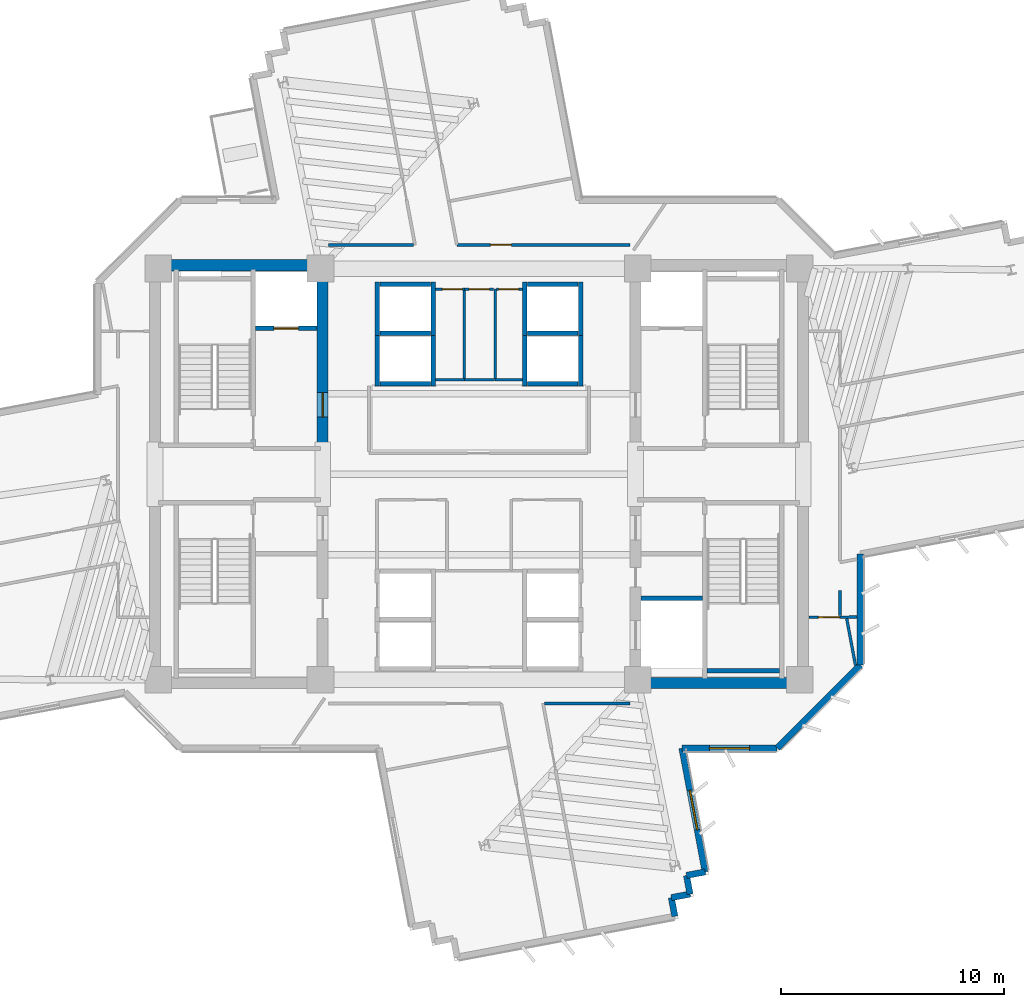
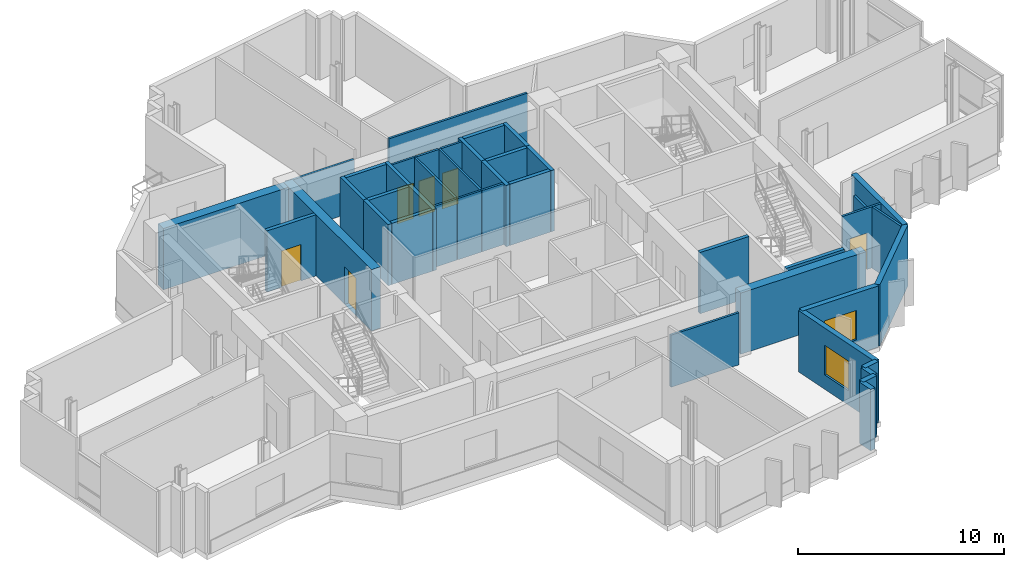
# One storey, part 10 of 16: 42 walls, 7 doors, 2 windows, 9 openings.
"""IFC4 building model written with IfcOpenShell, lengths in metres."""

import ifcopenshell
import ifcopenshell.guid

model = None  # the IFC model being written
_history = None  # IfcOwnerHistory: only IFC2X3 demands one
_inside = {}  # id of a spatial element -> (the spatial element, [elements in it])
_under = {}  # id of a project, library or spatial element -> (it, [spatial elements below it])
_declared = {}  # id of a project -> (the project, [libraries it declares])
_typed = {}  # id of a type object -> (the type object, [elements of that type])
_made_of = {}  # id of a material, layer set ... -> (it, [elements and type objects made of it])


def new_model(schema):
    """Start an empty IFC model of exactly this schema.

    Asked for "IFC4X3", IfcOpenShell would pick the latest addendum, in which some entities
    have other attributes; the version numbers below select the first issue.
    IFC2X3 requires an IfcOwnerHistory on every rooted entity: one is made here for all.
    """
    global model, _history
    if schema == "IFC4X3":
        model = ifcopenshell.file(schema_version=(4, 3, 0, 0))
    else:
        model = ifcopenshell.file(schema=schema)
    _inside.clear()
    _under.clear()
    _declared.clear()
    _typed.clear()
    _made_of.clear()
    _history = None
    if model.schema == "IFC2X3":
        org = make("IfcOrganization", Name="unknown")
        user = make(
            "IfcPersonAndOrganization",
            ThePerson=make("IfcPerson", FamilyName="unknown"),
            TheOrganization=org,
        )
        app = make(
            "IfcApplication",
            ApplicationDeveloper=org,
            Version="unknown",
            ApplicationFullName="unknown",
            ApplicationIdentifier="unknown",
        )
        _history = make(
            "IfcOwnerHistory",
            OwningUser=user,
            OwningApplication=app,
            ChangeAction="ADDED",
            CreationDate=0,
        )
    return model


def make(cls, **values):
    """One entity of the class cls with the attributes given. An attribute that is None is left unset."""
    return model.create_entity(
        cls, **{name: value for name, value in values.items() if value is not None}
    )


def rooted(cls, **values):
    """An entity with a GlobalId (a new one), such as an element, a storey or a relation."""
    return make(cls, GlobalId=ifcopenshell.guid.new(), OwnerHistory=_history, **values)


def si_unit(unit_type, name, prefix=None):
    """IfcSIUnit, for example si_unit("LENGTHUNIT", "METRE", prefix="MILLI")."""
    return make("IfcSIUnit", UnitType=unit_type, Prefix=prefix, Name=name)


def assignment(units):
    """IfcUnitAssignment: the units of a project."""
    return None if units is None else make("IfcUnitAssignment", Units=units)


def point(xyz):
    """IfcCartesianPoint."""
    return None if xyz is None else make("IfcCartesianPoint", Coordinates=xyz)


def direction(xyz):
    """IfcDirection."""
    return None if xyz is None else make("IfcDirection", DirectionRatios=xyz)


def frame(location, z_axis=None, x_axis=None):
    """IfcAxis2Placement3D, a coordinate frame: its origin and axes. An axis left out is left unset."""
    return make(
        "IfcAxis2Placement3D",
        Location=point(location),
        Axis=direction(z_axis),
        RefDirection=direction(x_axis),
    )


def frame_2d(location, x_axis=None):
    """IfcAxis2Placement2D, a coordinate frame in the plane: its origin and x axis."""
    return make(
        "IfcAxis2Placement2D", Location=point(location), RefDirection=direction(x_axis)
    )


def origin():
    """The frame at (0, 0, 0) with its axes left unset."""
    return frame((0.0, 0.0, 0.0))


def place(relative_to, where):
    """IfcLocalPlacement: puts the frame where relative to a parent placement (None: the world)."""
    return make(
        "IfcLocalPlacement", PlacementRelTo=relative_to, RelativePlacement=where
    )


def context(
    kind, dimensions, precision=None, world=None, true_north=None, identifier=None
):
    """IfcGeometricRepresentationContext, for example the 3D "Model" context."""
    return make(
        "IfcGeometricRepresentationContext",
        ContextIdentifier=identifier,
        ContextType=kind,
        CoordinateSpaceDimension=dimensions,
        Precision=precision,
        WorldCoordinateSystem=world,
        TrueNorth=true_north,
    )


def subcontext(parent, identifier, kind, view, scale=None):
    """IfcGeometricRepresentationSubContext, for example "Body" below "Model"."""
    return make(
        "IfcGeometricRepresentationSubContext",
        ContextIdentifier=identifier,
        ContextType=kind,
        ParentContext=parent,
        TargetScale=scale,
        TargetView=view,
    )


def project(units=None, contexts=None):
    """IfcProject with its units and contexts."""
    return rooted(
        "IfcProject",
        Name="project",
        RepresentationContexts=contexts,
        UnitsInContext=assignment(units),
    )


def spatial(cls, under=None, at=None, **own):
    """A site, building, storey or space (cls), placed at a placement, below another one or the project."""
    s = rooted(cls, ObjectPlacement=at, **own)
    if under is not None:
        _under.setdefault(under.id(), (under, []))[1].append(s)
    return s


def profile(cls, at=None, kind="AREA", **sizes):
    """A parametric profile (cls). Its sizes go by their IFC names, for example OverallWidth=200.0."""
    return make(cls, ProfileType=kind, Position=at, **sizes)


def rectangle(**sizes):
    """IfcRectangleProfileDef."""
    return profile("IfcRectangleProfileDef", **sizes)


def extrude(swept, where, along, depth):
    """IfcExtrudedAreaSolid: the profile swept, set in the frame where, extruded along a direction by depth."""
    return make(
        "IfcExtrudedAreaSolid",
        SweptArea=swept,
        Position=where,
        ExtrudedDirection=direction(along),
        Depth=depth,
    )


def shape(context_of_items, identifier, shape_type, items):
    """IfcShapeRepresentation: the items that make up one representation, for example the "Body"."""
    return make(
        "IfcShapeRepresentation",
        ContextOfItems=context_of_items,
        RepresentationIdentifier=identifier,
        RepresentationType=shape_type,
        Items=items,
    )


def source(mapping_origin, context_of_items, identifier, shape_type, items):
    """IfcRepresentationMap: a shape defined once, which mapped items show again and again."""
    return make(
        "IfcRepresentationMap",
        MappingOrigin=mapping_origin,
        MappedRepresentation=shape(context_of_items, identifier, shape_type, items),
    )


def transform(
    local_origin,
    x_axis=None,
    y_axis=None,
    z_axis=None,
    scale=None,
    scale2=None,
    scale3=None,
    uniform=True,
):
    """IfcCartesianTransformationOperator3D, or its non-uniform kind. x_axis, y_axis, z_axis: its Axis1, 2, 3."""
    if uniform:
        return make(
            "IfcCartesianTransformationOperator3D",
            Axis1=direction(x_axis),
            Axis2=direction(y_axis),
            LocalOrigin=point(local_origin),
            Scale=scale,
            Axis3=direction(z_axis),
        )
    return make(
        "IfcCartesianTransformationOperator3DnonUniform",
        Axis1=direction(x_axis),
        Axis2=direction(y_axis),
        LocalOrigin=point(local_origin),
        Scale=scale,
        Axis3=direction(z_axis),
        Scale2=scale2,
        Scale3=scale3,
    )


def mapped(mapping_source, mapping_target):
    """IfcMappedItem: shows the shape of a source again, moved by a transform."""
    return make(
        "IfcMappedItem", MappingSource=mapping_source, MappingTarget=mapping_target
    )


def material(Name=None, Category=None):
    """IfcMaterial."""
    return make("IfcMaterial", Name=Name, Category=Category)


def layer(
    of_material, thickness, ventilated=None, Name=None, Category=None, Priority=None
):
    """IfcMaterialLayer: one layer of a wall or slab, of a material (None: an air gap)."""
    return make(
        "IfcMaterialLayer",
        Material=of_material,
        LayerThickness=thickness,
        IsVentilated=ventilated,
        Name=Name,
        Category=Category,
        Priority=Priority,
    )


def layer_set(layers, Name=None):
    """IfcMaterialLayerSet."""
    return make("IfcMaterialLayerSet", MaterialLayers=layers, LayerSetName=Name)


def made_of(thing, what):
    """Note that an element or type object is made of a material, layer set ...; save() writes the relation."""
    if what is not None:
        _made_of.setdefault(what.id(), (what, []))[1].append(thing)
    return thing


def type_object(cls, material=None, **own):
    """A type object (cls), such as IfcWallType, which elements share."""
    return made_of(rooted(cls, **own), material)


def element(
    cls,
    number,
    at=None,
    inside=None,
    cuts=None,
    type_object=None,
    material=None,
    context=None,
    identifier="Body",
    shape_type=None,
    held_by="IfcProductDefinitionShape",
    body=None,
    shapes=None,
    **own,
):
    """One element of the class cls, such as IfcWall. Its Tag is "e" and its number.

    at: its placement. inside: the storey or other place that contains it. cuts: it is an
    opening in that element (IfcRelVoidsElement). A single representation is given by context,
    identifier, shape_type and body (its items); several are given by shapes. held_by: the class
    of the entity that holds the representations. save() writes the other relations.
    """
    e = rooted(cls, Tag="e%d" % number, ObjectPlacement=at, **own)
    if body is not None:
        shapes = [shape(context, identifier, shape_type, body)]
    if shapes is not None:
        e.Representation = make(held_by, Representations=shapes)
    if inside is not None:
        _inside.setdefault(inside.id(), (inside, []))[1].append(e)
    if cuts is not None:
        rooted(
            "IfcRelVoidsElement", RelatingBuildingElement=cuts, RelatedOpeningElement=e
        )
    if type_object is not None:
        _typed.setdefault(type_object.id(), (type_object, []))[1].append(e)
    return made_of(e, material)


def fill(opening, filler):
    """IfcRelFillsElement: the door or window that sits in an opening."""
    return rooted(
        "IfcRelFillsElement",
        RelatingOpeningElement=opening,
        RelatedBuildingElement=filler,
    )


def aggregate(whole, parts):
    """IfcRelAggregates: a whole, such as a stair, and the parts it consists of."""
    return rooted("IfcRelAggregates", RelatingObject=whole, RelatedObjects=parts)


def save(model, path):
    """Write the relations noted so far, then the file.

    IfcRelAggregates (storeys below a building ...), IfcRelContainedInSpatialStructure (elements
    in a storey), IfcRelDefinesByType, IfcRelAssociatesMaterial and IfcRelDeclares: one each for
    every whole, place, type object, material and project.
    """
    for whole, parts in _under.values():
        aggregate(whole, parts)
    for where, things in _inside.values():
        rooted(
            "IfcRelContainedInSpatialStructure",
            RelatedElements=things,
            RelatingStructure=where,
        )
    for kind, things in _typed.values():
        rooted("IfcRelDefinesByType", RelatedObjects=things, RelatingType=kind)
    for what, things in _made_of.values():
        rooted("IfcRelAssociatesMaterial", RelatedObjects=things, RelatingMaterial=what)
    for by, libraries in _declared.values():
        rooted("IfcRelDeclares", RelatingContext=by, RelatedDefinitions=libraries)
    model.write(path)


model = new_model("IFC4")

# Units and contexts
model_context = context("Model", 3, precision=1e-05, world=origin(), true_north=direction((0.0, 1.0)))
body_context = subcontext(model_context, "Body", "Model", "MODEL_VIEW")
ifc_project = project(units=[si_unit("LENGTHUNIT", "METRE"), si_unit("AREAUNIT", "SQUARE_METRE"), si_unit("VOLUMEUNIT", "CUBIC_METRE"), si_unit("PLANEANGLEUNIT", "RADIAN"), si_unit("MASSUNIT", "GRAM", prefix="KILO")], contexts=[model_context])

# Site, building, storey
site_placement = place(None, origin())
site = spatial("IfcSite", under=ifc_project, at=site_placement, CompositionType="ELEMENT")
building_placement = place(site_placement, origin())
building = spatial("IfcBuilding", under=site, at=building_placement, Name="Zahravan Cultural Tower", CompositionType="ELEMENT")
storey_placement = place(building_placement, frame((0.0, 0.0, 155.10009765625)))
storey = spatial("IfcBuildingStorey", under=building, at=storey_placement, Name="L35", CompositionType="ELEMENT", Elevation=155.10009765625)

# Wall, opening, door
ifc_material_1 = material(Name="Concrete C60/75", Category="concrete")
ifc_layer_1 = layer(ifc_material_1, 0.5)
ifc_layer_set_1 = layer_set([ifc_layer_1], Name="Concrete C60/75")
wall_type_1 = type_object("IfcWallType", Name="CW-SHEAR-500-C60", PredefinedType="SHEAR", material=ifc_layer_set_1)
wall_1_placement = place(storey_placement, frame((29.0, 28.050048828125, 0.0), z_axis=(0.0, 0.0, 1.0), x_axis=(0.0, 1.0, 0.0)))
wall_1 = element("IfcWall", 1, at=wall_1_placement, inside=storey, type_object=wall_type_1, Name="L35 Core Shear Wall CW-W-EN-L35", PredefinedType="SHEAR", context=body_context, shape_type="SweptSolid", body=[
    extrude(rectangle(XDim=8.550048828125, YDim=0.5, at=frame_2d((4.27490234375, 0.0))), origin(), (0.0, 0.0, 1.0), 3.619873046875),
])
opening_1_placement = place(wall_1_placement, frame((1.5, 0.0, 0.0)))
opening_1 = element("IfcOpeningElement", 2, at=opening_1_placement, cuts=wall_1, Name="Opening D-L35-05", PredefinedType="OPENING", context=body_context, shape_type="SweptSolid", body=[
    extrude(rectangle(XDim=1.10009765625, YDim=2.199951171875, at=frame_2d((0.550048828125, 1.10009765625))), frame((0.0, 0.260009765625, 0.0), z_axis=(0.0, -1.0, 0.0), x_axis=(1.0, 0.0, 0.0)), (0.0, 0.0, 1.0), 0.52001953125),
])
ifc_material_2 = material(Name="Steel ASTM A572 Grade 50", Category="steel")
door_type_1 = type_object("IfcDoorType", Name="DR-LOBBY-1100", OperationType="NOTDEFINED", PredefinedType="DOOR", material=ifc_material_2)
shared_shape_1 = source(origin(), body_context, "Body", "SweptSolid", [
    extrude(rectangle(XDim=1.10009765625, YDim=2.199951171875, at=frame_2d((0.550048828125, 1.10009765625))), frame((0.0, 0.02490234375, 0.0), z_axis=(0.0, -1.0, 0.0), x_axis=(1.0, 0.0, 0.0)), (0.0, 0.0, 1.0), 0.050048828125),
])
door_1_placement = place(opening_1_placement, origin())
door_1 = element("IfcDoor", 3, at=door_1_placement, inside=storey, type_object=door_type_1, Name="L35 Door D-L35-05", OperationType="SINGLE_SWING_LEFT", OverallHeight=2.199951171875, OverallWidth=1.10009765625, PredefinedType="DOOR", context=body_context, shape_type="MappedRepresentation", body=[
    mapped(shared_shape_1, transform((0.0, 0.0, 0.0), x_axis=(1.0, 0.0, 0.0), y_axis=(0.0, 1.0, 0.0), z_axis=(0.0, 0.0, 1.0), scale=1.0)),
])
fill(opening_1, door_1)

# Wall, opening, window
ifc_material_3 = material(Name="Precast concrete C40/50", Category="concrete")
ifc_layer_2 = layer(ifc_material_3, 0.280029296875)
ifc_layer_set_2 = layer_set([ifc_layer_2], Name="Precast concrete C40/50")
wall_type_2 = type_object("IfcWallType", Name="EW-TC-280", PredefinedType="SOLIDWALL", material=ifc_layer_set_2)
wall_2_placement = place(storey_placement, frame((49.342041015625, 14.739990234375, 0.0), z_axis=(0.0, 0.0, 1.0), x_axis=(-1.0, 0.0, 0.0)))
wall_2 = element("IfcWall", 4, at=wall_2_placement, inside=storey, type_object=wall_type_2, Name="L35 Exterior Masonry Frame Wall 13", PredefinedType="SOLIDWALL", context=body_context, shape_type="SweptSolid", body=[
    extrude(rectangle(XDim=4.262451171875, YDim=0.280029296875, at=frame_2d((2.13134765625, 0.0))), origin(), (0.0, 0.0, 1.0), 3.619873046875),
])
opening_2_placement = place(wall_2_placement, frame((1.23095703125, 0.0, 0.85009765625)))
opening_2 = element("IfcOpeningElement", 5, at=opening_2_placement, cuts=wall_2, Name="Opening WN-02", PredefinedType="OPENING", context=body_context, shape_type="SweptSolid", body=[
    extrude(rectangle(XDim=1.800048828125, YDim=1.75, at=frame_2d((0.89990234375, 0.875))), frame((0.0, 0.14990234375, 0.0), z_axis=(0.0, -1.0, 0.0), x_axis=(1.0, 0.0, 0.0)), (0.0, 0.0, 1.0), 0.300048828125),
])
ifc_material_4 = material(Name="Low-E solar-control double glazing", Category="glass")
window_type = type_object("IfcWindowType", Name="WN-REC-1800X1750", PartitioningType="DOUBLE_PANEL_VERTICAL", PredefinedType="WINDOW", material=ifc_material_4)
shared_shape_2 = source(origin(), body_context, "Body", "SweptSolid", [
    extrude(rectangle(XDim=1.800048828125, YDim=1.75, at=frame_2d((0.89990234375, 0.875))), frame((0.0, 0.030029296875, 0.0), z_axis=(0.0, -1.0, 0.0), x_axis=(1.0, 0.0, 0.0)), (0.0, 0.0, 1.0), 0.06005859375),
])
window_1_placement = place(opening_2_placement, origin())
window_1 = element("IfcWindow", 6, at=window_1_placement, inside=storey, type_object=window_type, Name="L35 Recessed Solar Window 03", OverallHeight=1.75, OverallWidth=1.800048828125, PartitioningType="DOUBLE_PANEL_VERTICAL", PredefinedType="WINDOW", context=body_context, shape_type="MappedRepresentation", body=[
    mapped(shared_shape_2, transform((0.0, 0.0, 0.0), x_axis=(1.0, 0.0, 0.0), y_axis=(0.0, 1.0, 0.0), z_axis=(0.0, 0.0, 1.0), scale=1.0)),
])
fill(opening_2, window_1)

wall_3_placement = place(storey_placement, frame((45.07958984375, 14.739990234375, 0.0), z_axis=(0.0, 0.0, 1.0), x_axis=(0.184678339457, -0.982799018587, 0.0)))
wall_3 = element("IfcWall", 7, at=wall_3_placement, inside=storey, type_object=wall_type_2, Name="L35 Exterior Masonry Frame Wall 14", PredefinedType="SOLIDWALL", context=body_context, shape_type="SweptSolid", body=[
    extrude(rectangle(XDim=5.63427734375, YDim=0.280029296875, at=frame_2d((2.817138671875, 0.0))), origin(), (0.0, 0.0, 1.0), 3.619873046875),
])
opening_3_placement = place(wall_3_placement, frame((1.9169921875, 0.0, 0.85009765625)))
opening_3 = element("IfcOpeningElement", 8, at=opening_3_placement, cuts=wall_3, Name="Opening WN-02", PredefinedType="OPENING", context=body_context, shape_type="SweptSolid", body=[
    extrude(rectangle(XDim=1.800048828125, YDim=1.75, at=frame_2d((0.89990234375, 0.875))), frame((0.0, 0.14990234375, 0.0), z_axis=(0.0, -1.0, 0.0), x_axis=(1.0, 0.0, 0.0)), (0.0, 0.0, 1.0), 0.300048828125),
])
window_2_placement = place(opening_3_placement, origin())
window_2 = element("IfcWindow", 9, at=window_2_placement, inside=storey, type_object=window_type, Name="L35 Recessed Solar Window 04", OverallHeight=1.75, OverallWidth=1.800048828125, PartitioningType="DOUBLE_PANEL_VERTICAL", PredefinedType="WINDOW", context=body_context, shape_type="MappedRepresentation", body=[
    mapped(shared_shape_2, transform((0.0, 0.0, 0.0), x_axis=(1.0, 0.0, 0.0), y_axis=(0.0, 1.0, 0.0), z_axis=(0.0, 0.0, 1.0), scale=1.0)),
])
fill(opening_3, window_2)

# Wall, opening, door
ifc_material_5 = material(Name="Gypsum plasterboard partition")
ifc_layer_3 = layer(ifc_material_5, 0.125)
ifc_layer_set_3 = layer_set([ifc_layer_3], Name="Gypsum plasterboard partition")
wall_type_3 = type_object("IfcWallType", Name="W-PART-125", PredefinedType="PARTITIONING", material=ifc_layer_set_3)
wall_4_placement = place(storey_placement, frame((50.7548828125, 20.60009765625, 0.0), z_axis=(0.0, 0.0, 1.0), x_axis=(0.99999875384, 0.001578708001, 0.0)))
wall_4 = element("IfcWall", 10, at=wall_4_placement, inside=storey, type_object=wall_type_3, Name="L35 Interior Wall 065", PredefinedType="PARTITIONING", context=body_context, shape_type="SweptSolid", body=[
    extrude(rectangle(XDim=2.1650390625, YDim=0.125, at=frame_2d((1.08251953125, 0.0))), origin(), (0.0, 0.0, 1.0), 3.619873046875),
])
opening_4_placement = place(wall_4_placement, frame((0.42529296875, 0.0, 0.0)))
opening_4 = element("IfcOpeningElement", 11, at=opening_4_placement, cuts=wall_4, Name="Opening D-L35-18", PredefinedType="OPENING", context=body_context, shape_type="SweptSolid", body=[
    extrude(rectangle(XDim=0.949951171875, YDim=2.14990234375, at=frame_2d((0.47509765625, 1.074951171875))), frame((0.0, 0.072509765625, 0.0), z_axis=(0.0, -1.0, 0.0), x_axis=(1.0, 0.0, 0.0)), (0.0, 0.0, 1.0), 0.14501953125),
])
ifc_material_6 = material(Name="Anodised bronze-aluminium mullion", Category="aluminium")
door_type_2 = type_object("IfcDoorType", Name="DR-ROOM-950", OperationType="NOTDEFINED", PredefinedType="DOOR", material=ifc_material_6)
shared_shape_3 = source(origin(), body_context, "Body", "SweptSolid", [
    extrude(rectangle(XDim=0.949951171875, YDim=2.14990234375, at=frame_2d((0.47509765625, 1.074951171875))), frame((0.0, 0.02490234375, 0.0), z_axis=(0.0, -1.0, 0.0), x_axis=(1.0, 0.0, 0.0)), (0.0, 0.0, 1.0), 0.050048828125),
])
door_2_placement = place(opening_4_placement, origin())
door_2 = element("IfcDoor", 12, at=door_2_placement, inside=storey, type_object=door_type_2, Name="L35 Door D-L35-18", OperationType="SINGLE_SWING_RIGHT", OverallHeight=2.14990234375, OverallWidth=0.949951171875, PredefinedType="DOOR", context=body_context, shape_type="MappedRepresentation", body=[
    mapped(shared_shape_3, transform((0.0, 0.0, 0.0), x_axis=(1.0, 0.0, 0.0), y_axis=(0.0, 1.0, 0.0), z_axis=(0.0, 0.0, 1.0), scale=1.0)),
])
fill(opening_4, door_2)

wall_5_placement = place(storey_placement, frame((42.7490234375, 37.259033203125, 0.0), z_axis=(0.0, 0.0, 1.0), x_axis=(-0.999999992041, 0.000126163065, 0.0)))
wall_5 = element("IfcWall", 13, at=wall_5_placement, inside=storey, type_object=wall_type_3, Name="L35 Interior Wall 076", PredefinedType="PARTITIONING", context=body_context, shape_type="SweptSolid", body=[
    extrude(rectangle(XDim=7.740478515625, YDim=0.125, at=frame_2d((3.8701171875, 0.0))), origin(), (0.0, 0.0, 1.0), 3.619873046875),
])
opening_5_placement = place(wall_5_placement, frame((5.29638671875, 0.0, 0.0)))
opening_5 = element("IfcOpeningElement", 14, at=opening_5_placement, cuts=wall_5, Name="Opening D-L35-21", PredefinedType="OPENING", context=body_context, shape_type="SweptSolid", body=[
    extrude(rectangle(XDim=0.949951171875, YDim=2.14990234375, at=frame_2d((0.47509765625, 1.074951171875))), frame((0.0, 0.072509765625, 0.0), z_axis=(0.0, -1.0, 0.0), x_axis=(1.0, 0.0, 0.0)), (0.0, 0.0, 1.0), 0.14501953125),
])
door_3_placement = place(opening_5_placement, origin())
door_3 = element("IfcDoor", 15, at=door_3_placement, inside=storey, type_object=door_type_2, Name="L35 Door D-L35-21", OperationType="SINGLE_SWING_LEFT", OverallHeight=2.14990234375, OverallWidth=0.949951171875, PredefinedType="DOOR", context=body_context, shape_type="MappedRepresentation", body=[
    mapped(shared_shape_3, transform((0.0, 0.0, 0.0), x_axis=(1.0, 0.0, 0.0), y_axis=(0.0, 1.0, 0.0), z_axis=(0.0, 0.0, 1.0), scale=1.0)),
])
fill(opening_5, door_3)

ifc_material_7 = material(Name="Concrete C45/55", Category="concrete")
ifc_layer_4 = layer(ifc_material_7, 0.199951171875)
ifc_layer_set_4 = layer_set([ifc_layer_4], Name="Concrete C45/55")
wall_type_4 = type_object("IfcWallType", Name="W-SHAFT-200", PredefinedType="SOLIDWALL", material=ifc_layer_set_4)
wall_6_placement = place(storey_placement, frame((26.0, 33.52001953125, 0.0), z_axis=(0.0, 0.0, 1.0), x_axis=(1.0, 0.0, 0.0)))
wall_6 = element("IfcWall", 16, at=wall_6_placement, inside=storey, type_object=wall_type_4, Name="L35 Interior Wall 021", PredefinedType="SOLIDWALL", context=body_context, shape_type="SweptSolid", body=[
    extrude(rectangle(XDim=2.75, YDim=0.199951171875, at=frame_2d((1.375, 0.0))), origin(), (0.0, 0.0, 1.0), 3.619873046875),
])
opening_6_placement = place(wall_6_placement, frame((0.820068359375, 0.0, 0.0)))
opening_6 = element("IfcOpeningElement", 17, at=opening_6_placement, cuts=wall_6, Name="Opening LD-L35-01", PredefinedType="OPENING", context=body_context, shape_type="SweptSolid", body=[
    extrude(rectangle(XDim=1.10009765625, YDim=2.14990234375, at=frame_2d((0.550048828125, 1.074951171875))), frame((0.0, 0.10986328125, 0.0), z_axis=(0.0, -1.0, 0.0), x_axis=(1.0, 0.0, 0.0)), (0.0, 0.0, 1.0), 0.219970703125),
])
door_type_3 = type_object("IfcDoorType", Name="DR-LIFT-1100", OperationType="DOUBLE_DOOR_SLIDING", PredefinedType="DOOR", material=ifc_material_2)
shared_shape_4 = source(origin(), body_context, "Body", "SweptSolid", [
    extrude(rectangle(XDim=1.10009765625, YDim=2.14990234375, at=frame_2d((0.550048828125, 1.074951171875))), frame((0.0, 0.02490234375, 0.0), z_axis=(0.0, -1.0, 0.0), x_axis=(1.0, 0.0, 0.0)), (0.0, 0.0, 1.0), 0.050048828125),
])
door_4_placement = place(opening_6_placement, origin())
door_4 = element("IfcDoor", 18, at=door_4_placement, inside=storey, type_object=door_type_3, Name="L35 Door LD-L35-01", OperationType="DOUBLE_DOOR_SLIDING", OverallHeight=2.14990234375, OverallWidth=1.10009765625, PredefinedType="DOOR", context=body_context, shape_type="MappedRepresentation", body=[
    mapped(shared_shape_4, transform((0.0, 0.0, 0.0), x_axis=(1.0, 0.0, 0.0), y_axis=(0.0, 1.0, 0.0), z_axis=(0.0, 0.0, 1.0), scale=1.0)),
])
fill(opening_6, door_4)

ifc_layer_5 = layer(ifc_material_5, 0.114990234375)
ifc_layer_set_5 = layer_set([ifc_layer_5], Name="Gypsum plasterboard partition")
wall_type_5 = type_object("IfcWallType", Name="W-WC-115", PredefinedType="PARTITIONING", material=ifc_layer_set_5)
wall_7_placement = place(storey_placement, frame((36.782470703125, 35.280029296875, 0.0), z_axis=(0.0, 0.0, 1.0), x_axis=(1.0, 0.0, 0.0)))
wall_7 = element("IfcWall", 19, at=wall_7_placement, inside=storey, type_object=wall_type_5, Name="L35 Interior Wall 056", PredefinedType="PARTITIONING", context=body_context, shape_type="SweptSolid", body=[
    extrude(rectangle(XDim=1.16259765625, YDim=0.114990234375, at=frame_2d((0.581298828125, 0.0))), origin(), (0.0, 0.0, 1.0), 3.619873046875),
])
opening_7_placement = place(wall_7_placement, frame((0.0888671875, 0.0, 0.0)))
opening_7 = element("IfcOpeningElement", 20, at=opening_7_placement, cuts=wall_7, Name="Opening D-L35-15", PredefinedType="OPENING", context=body_context, shape_type="SweptSolid", body=[
    extrude(rectangle(XDim=0.89990234375, YDim=2.10009765625, at=frame_2d((0.449951171875, 1.050048828125))), frame((0.0, 0.0673828125, 0.0), z_axis=(0.0, -1.0, 0.0), x_axis=(1.0, 0.0, 0.0)), (0.0, 0.0, 1.0), 0.135009765625),
])
door_type_4 = type_object("IfcDoorType", Name="DR-WC-900", OperationType="NOTDEFINED", PredefinedType="DOOR", material=ifc_material_6)
shared_shape_5 = source(origin(), body_context, "Body", "SweptSolid", [
    extrude(rectangle(XDim=0.89990234375, YDim=2.10009765625, at=frame_2d((0.449951171875, 1.050048828125))), frame((0.0, 0.02490234375, 0.0), z_axis=(0.0, -1.0, 0.0), x_axis=(1.0, 0.0, 0.0)), (0.0, 0.0, 1.0), 0.050048828125),
])
door_5_placement = place(opening_7_placement, origin())
door_5 = element("IfcDoor", 21, at=door_5_placement, inside=storey, type_object=door_type_4, Name="L35 Door D-L35-15", OperationType="SINGLE_SWING_LEFT", OverallHeight=2.10009765625, OverallWidth=0.89990234375, PredefinedType="DOOR", context=body_context, shape_type="MappedRepresentation", body=[
    mapped(shared_shape_5, transform((0.0, 0.0, 0.0), x_axis=(1.0, 0.0, 0.0), y_axis=(0.0, 1.0, 0.0), z_axis=(0.0, 0.0, 1.0), scale=1.0)),
])
fill(opening_7, door_5)

wall_8_placement = place(storey_placement, frame((34.054931640625, 35.280029296875, 0.0), z_axis=(0.0, 0.0, 1.0), x_axis=(1.0, 0.0, 0.0)))
wall_8 = element("IfcWall", 22, at=wall_8_placement, inside=storey, type_object=wall_type_5, Name="L35 Interior Wall 058", PredefinedType="PARTITIONING", context=body_context, shape_type="SweptSolid", body=[
    extrude(rectangle(XDim=1.28515625, YDim=0.114990234375, at=frame_2d((0.642578125, 0.0))), origin(), (0.0, 0.0, 1.0), 3.619873046875),
])
opening_8_placement = place(wall_8_placement, frame((0.30029296875, 0.0, 0.0)))
opening_8 = element("IfcOpeningElement", 23, at=opening_8_placement, cuts=wall_8, Name="Opening D-L35-13", PredefinedType="OPENING", context=body_context, shape_type="SweptSolid", body=[
    extrude(rectangle(XDim=0.89990234375, YDim=2.10009765625, at=frame_2d((0.449951171875, 1.050048828125))), frame((0.0, 0.0673828125, 0.0), z_axis=(0.0, -1.0, 0.0), x_axis=(1.0, 0.0, 0.0)), (0.0, 0.0, 1.0), 0.135009765625),
])
door_6_placement = place(opening_8_placement, origin())
door_6 = element("IfcDoor", 24, at=door_6_placement, inside=storey, type_object=door_type_4, Name="L35 Door D-L35-13", OperationType="SINGLE_SWING_LEFT", OverallHeight=2.10009765625, OverallWidth=0.89990234375, PredefinedType="DOOR", context=body_context, shape_type="MappedRepresentation", body=[
    mapped(shared_shape_5, transform((0.0, 0.0, 0.0), x_axis=(1.0, 0.0, 0.0), y_axis=(0.0, 1.0, 0.0), z_axis=(0.0, 0.0, 1.0), scale=1.0)),
])
fill(opening_8, door_6)

wall_9_placement = place(storey_placement, frame((35.360107421875, 35.280029296875, 0.0), z_axis=(0.0, 0.0, 1.0), x_axis=(1.0, 0.0, 0.0)))
wall_9 = element("IfcWall", 25, at=wall_9_placement, inside=storey, type_object=wall_type_5, Name="L35 Interior Wall 061", PredefinedType="PARTITIONING", context=body_context, shape_type="SweptSolid", body=[
    extrude(rectangle(XDim=1.29736328125, YDim=0.114990234375, at=frame_2d((0.648681640625, 0.0))), origin(), (0.0, 0.0, 1.0), 3.619873046875),
])
opening_9_placement = place(wall_9_placement, frame((0.19873046875, 0.0, 0.0)))
opening_9 = element("IfcOpeningElement", 26, at=opening_9_placement, cuts=wall_9, Name="Opening D-L35-14", PredefinedType="OPENING", context=body_context, shape_type="SweptSolid", body=[
    extrude(rectangle(XDim=0.89990234375, YDim=2.10009765625, at=frame_2d((0.449951171875, 1.050048828125))), frame((0.0, 0.0673828125, 0.0), z_axis=(0.0, -1.0, 0.0), x_axis=(1.0, 0.0, 0.0)), (0.0, 0.0, 1.0), 0.135009765625),
])
door_7_placement = place(opening_9_placement, origin())
door_7 = element("IfcDoor", 27, at=door_7_placement, inside=storey, type_object=door_type_4, Name="L35 Door D-L35-14", OperationType="SINGLE_SWING_RIGHT", OverallHeight=2.10009765625, OverallWidth=0.89990234375, PredefinedType="DOOR", context=body_context, shape_type="MappedRepresentation", body=[
    mapped(shared_shape_5, transform((0.0, 0.0, 0.0), x_axis=(1.0, 0.0, 0.0), y_axis=(0.0, 1.0, 0.0), z_axis=(0.0, 0.0, 1.0), scale=1.0)),
])
fill(opening_9, door_7)

# Walls
shared_shape_6 = source(origin(), body_context, "Body", "SweptSolid", [
    extrude(rectangle(XDim=7.0, YDim=0.5, at=frame_2d((3.5, 0.0))), origin(), (0.0, 0.0, 1.0), 3.619873046875),
])
for number, where, z_axis, x_axis, name in (
    (28, (21.75, 36.35009765625, 0.0), (0.0, 0.0, 1.0), (1.0, 0.0, 0.0), "L35 Core Shear Wall CW-W-N-L35"),
    (29, (43.25, 17.64990234375, 0.0), (0.0, 0.0, 1.0), (1.0, 0.0, 0.0), "L35 Core Shear Wall CW-E-S-L35"),
):
    element("IfcWall", number, at=place(storey_placement, frame(where, z_axis=z_axis, x_axis=x_axis)), inside=storey, type_object=wall_type_1, Name=name, PredefinedType="SHEAR", context=body_context, shape_type="MappedRepresentation", body=[
        mapped(shared_shape_6, transform((0.0, 0.0, 0.0), x_axis=(1.0, 0.0, 0.0), y_axis=(0.0, 1.0, 0.0), z_axis=(0.0, 0.0, 1.0), scale=1.0)),
    ])
shared_shape_7 = source(origin(), body_context, "Body", "SweptSolid", [
    extrude(rectangle(XDim=0.85009765625, YDim=0.280029296875, at=frame_2d((0.425048828125, 0.0))), origin(), (0.0, 0.0, 1.0), 3.619873046875),
])
for number, where, z_axis, x_axis, name in (
    (30, (46.1201171875, 9.20263671875, 0.0), (0.0, 0.0, 1.0), (-0.982800583684, -0.184670010318, 0.0), "L35 Exterior Masonry Frame Wall 15"),
    (31, (45.28466796875, 9.045654296875, 0.0), (0.0, 0.0, 1.0), (0.184670010318, -0.982800583684, 0.0), "L35 Exterior Masonry Frame Wall 16"),
    (32, (45.441650390625, 8.210205078125, 0.0), (0.0, 0.0, 1.0), (-0.982800583684, -0.184670010318, 0.0), "L35 Exterior Masonry Frame Wall 17"),
    (33, (44.606201171875, 8.05322265625, 0.0), (0.0, 0.0, 1.0), (0.184670010318, -0.982800583684, 0.0), "L35 Exterior Masonry Frame Wall 18"),
):
    element("IfcWall", number, at=place(storey_placement, frame(where, z_axis=z_axis, x_axis=x_axis)), inside=storey, type_object=wall_type_2, Name=name, PredefinedType="SOLIDWALL", context=body_context, shape_type="MappedRepresentation", body=[
        mapped(shared_shape_7, transform((0.0, 0.0, 0.0), x_axis=(1.0, 0.0, 0.0), y_axis=(0.0, 1.0, 0.0), z_axis=(0.0, 0.0, 1.0), scale=1.0)),
    ])
shared_shape_8 = source(origin(), body_context, "Body", "SweptSolid", [
    extrude(rectangle(XDim=5.258056640625, YDim=0.280029296875, at=frame_2d((2.62890625, 0.0))), origin(), (0.0, 0.0, 1.0), 3.619873046875),
])
wall_10_placement = place(storey_placement, frame((53.06005859375, 18.4580078125, 0.0), z_axis=(0.0, 0.0, 1.0), x_axis=(-0.707106781187, -0.707106781187, 0.0)))
element("IfcWall", 34, at=wall_10_placement, inside=storey, type_object=wall_type_2, Name="L35 Exterior Masonry Frame Wall 12", PredefinedType="SOLIDWALL", context=body_context, shape_type="MappedRepresentation", body=[
    mapped(shared_shape_8, transform((0.0, 0.0, 0.0), x_axis=(1.0, 0.0, 0.0), y_axis=(0.0, 1.0, 0.0), z_axis=(0.0, 0.0, 1.0), scale=1.0)),
])
shared_shape_9 = source(origin(), body_context, "Body", "SweptSolid", [
    extrude(rectangle(XDim=4.970458984375, YDim=0.280029296875, at=frame_2d((2.4853515625, 0.0))), origin(), (0.0, 0.0, 1.0), 3.619873046875),
])
wall_11_placement = place(storey_placement, frame((53.06005859375, 23.428466796875, 0.0), z_axis=(0.0, 0.0, 1.0), x_axis=(0.0, -1.0, 0.0)))
element("IfcWall", 35, at=wall_11_placement, inside=storey, type_object=wall_type_2, Name="L35 Exterior Masonry Frame Wall 11", PredefinedType="SOLIDWALL", context=body_context, shape_type="MappedRepresentation", body=[
    mapped(shared_shape_9, transform((0.0, 0.0, 0.0), x_axis=(1.0, 0.0, 0.0), y_axis=(0.0, 1.0, 0.0), z_axis=(0.0, 0.0, 1.0), scale=1.0)),
])
shared_shape_10 = source(origin(), body_context, "Body", "SweptSolid", [
    extrude(rectangle(XDim=3.25, YDim=0.199951171875, at=frame_2d((1.625, 0.0))), origin(), (0.0, 0.0, 1.0), 3.619873046875),
])
wall_12_placement = place(storey_placement, frame((46.199951171875, 18.199951171875, 0.0), z_axis=(0.0, 0.0, 1.0), x_axis=(1.0, 0.0, 0.0)))
element("IfcWall", 36, at=wall_12_placement, inside=storey, type_object=wall_type_4, Name="L35 Interior Wall 020", PredefinedType="SOLIDWALL", context=body_context, shape_type="MappedRepresentation", body=[
    mapped(shared_shape_10, transform((0.0, 0.0, 0.0), x_axis=(1.0, 0.0, 0.0), y_axis=(0.0, 1.0, 0.0), z_axis=(0.0, 0.0, 1.0), scale=1.0)),
])
shared_shape_11 = source(origin(), body_context, "Body", "SweptSolid", [
    extrude(rectangle(XDim=2.75, YDim=0.199951171875, at=frame_2d((1.375, 0.0))), origin(), (0.0, 0.0, 1.0), 3.619873046875),
])
wall_13_placement = place(storey_placement, frame((43.25, 21.449951171875, 0.0), z_axis=(0.0, 0.0, 1.0), x_axis=(1.0, 0.0, 0.0)))
element("IfcWall", 37, at=wall_13_placement, inside=storey, type_object=wall_type_4, Name="L35 Interior Wall 025", PredefinedType="SOLIDWALL", context=body_context, shape_type="MappedRepresentation", body=[
    mapped(shared_shape_11, transform((0.0, 0.0, 0.0), x_axis=(1.0, 0.0, 0.0), y_axis=(0.0, 1.0, 0.0), z_axis=(0.0, 0.0, 1.0), scale=1.0)),
])
shared_shape_12 = source(origin(), body_context, "Body", "SweptSolid", [
    extrude(rectangle(XDim=2.400146484375, YDim=0.199951171875, at=frame_2d((1.2001953125, 0.0))), origin(), (0.0, 0.0, 1.0), 3.619873046875),
])
for number, where, z_axis, x_axis, name in (
    (38, (31.449951171875, 33.199951171875, 0.0), (0.0, 0.0, 1.0), (0.0, 1.0, 0.0), "L35 Interior Wall 026"),
    (39, (33.949951171875, 33.199951171875, 0.0), (0.0, 0.0, 1.0), (0.0, 1.0, 0.0), "L35 Interior Wall 027"),
    (40, (31.449951171875, 30.949951171875, 0.0), (0.0, 0.0, 1.0), (0.0, 1.0, 0.0), "L35 Interior Wall 030"),
    (41, (33.949951171875, 30.949951171875, 0.0), (0.0, 0.0, 1.0), (0.0, 1.0, 0.0), "L35 Interior Wall 031"),
    (42, (38.050048828125, 33.199951171875, 0.0), (0.0, 0.0, 1.0), (0.0, 1.0, 0.0), "L35 Interior Wall 033"),
    (43, (40.550048828125, 33.199951171875, 0.0), (0.0, 0.0, 1.0), (0.0, 1.0, 0.0), "L35 Interior Wall 034"),
    (44, (38.050048828125, 30.949951171875, 0.0), (0.0, 0.0, 1.0), (0.0, 1.0, 0.0), "L35 Interior Wall 037"),
    (45, (40.550048828125, 30.949951171875, 0.0), (0.0, 0.0, 1.0), (0.0, 1.0, 0.0), "L35 Interior Wall 038"),
):
    element("IfcWall", number, at=place(storey_placement, frame(where, z_axis=z_axis, x_axis=x_axis)), inside=storey, type_object=wall_type_4, Name=name, PredefinedType="SOLIDWALL", context=body_context, shape_type="MappedRepresentation", body=[
        mapped(shared_shape_12, transform((0.0, 0.0, 0.0), x_axis=(1.0, 0.0, 0.0), y_axis=(0.0, 1.0, 0.0), z_axis=(0.0, 0.0, 1.0), scale=1.0)),
    ])
shared_shape_13 = source(origin(), body_context, "Body", "SweptSolid", [
    extrude(rectangle(XDim=2.260009765625, YDim=0.199951171875, at=frame_2d((1.1298828125, 0.0))), origin(), (0.0, 0.0, 1.0), 3.619873046875),
])
for number, where, z_axis, x_axis, name in (
    (46, (31.570068359375, 33.300048828125, 0.0), (0.0, 0.0, 1.0), (1.0, 0.0, 0.0), "L35 Interior Wall 028"),
    (47, (31.570068359375, 35.5, 0.0), (0.0, 0.0, 1.0), (1.0, 0.0, 0.0), "L35 Interior Wall 029"),
    (48, (31.570068359375, 31.050048828125, 0.0), (0.0, 0.0, 1.0), (1.0, 0.0, 0.0), "L35 Interior Wall 032"),
    (49, (38.169921875, 33.300048828125, 0.0), (0.0, 0.0, 1.0), (1.0, 0.0, 0.0), "L35 Interior Wall 035"),
    (50, (38.169921875, 35.5, 0.0), (0.0, 0.0, 1.0), (1.0, 0.0, 0.0), "L35 Interior Wall 036"),
    (51, (38.169921875, 31.050048828125, 0.0), (0.0, 0.0, 1.0), (1.0, 0.0, 0.0), "L35 Interior Wall 039"),
):
    element("IfcWall", number, at=place(storey_placement, frame(where, z_axis=z_axis, x_axis=x_axis)), inside=storey, type_object=wall_type_4, Name=name, PredefinedType="SOLIDWALL", context=body_context, shape_type="MappedRepresentation", body=[
        mapped(shared_shape_13, transform((0.0, 0.0, 0.0), x_axis=(1.0, 0.0, 0.0), y_axis=(0.0, 1.0, 0.0), z_axis=(0.0, 0.0, 1.0), scale=1.0)),
    ])
shared_shape_14 = source(origin(), body_context, "Body", "SweptSolid", [
    extrude(rectangle(XDim=1.22509765625, YDim=0.114990234375, at=frame_2d((0.612548828125, 0.0))), origin(), (0.0, 0.0, 1.0), 3.619873046875),
])
wall_14_placement = place(storey_placement, frame((37.945068359375, 31.219970703125, 0.0), z_axis=(0.0, 0.0, 1.0), x_axis=(-1.0, 0.0, 0.0)))
element("IfcWall", 52, at=wall_14_placement, inside=storey, type_object=wall_type_5, Name="L35 Interior Wall 054", PredefinedType="PARTITIONING", context=body_context, shape_type="MappedRepresentation", body=[
    mapped(shared_shape_14, transform((0.0, 0.0, 0.0), x_axis=(1.0, 0.0, 0.0), y_axis=(0.0, 1.0, 0.0), z_axis=(0.0, 0.0, 1.0), scale=1.0)),
])
shared_shape_15 = source(origin(), body_context, "Body", "SweptSolid", [
    extrude(rectangle(XDim=3.99755859375, YDim=0.114990234375, at=frame_2d((1.998779296875, 0.0))), origin(), (0.0, 0.0, 1.0), 3.619873046875),
])
wall_15_placement = place(storey_placement, frame((36.719970703125, 31.282470703125, 0.0), z_axis=(0.0, 0.0, 1.0), x_axis=(0.0, 1.0, 0.0)))
element("IfcWall", 53, at=wall_15_placement, inside=storey, type_object=wall_type_5, Name="L35 Interior Wall 055", PredefinedType="PARTITIONING", context=body_context, shape_type="MappedRepresentation", body=[
    mapped(shared_shape_15, transform((0.0, 0.0, 0.0), x_axis=(1.0, 0.0, 0.0), y_axis=(0.0, 1.0, 0.0), z_axis=(0.0, 0.0, 1.0), scale=1.0)),
])
shared_shape_16 = source(origin(), body_context, "Body", "SweptSolid", [
    extrude(rectangle(XDim=1.28515625, YDim=0.114990234375, at=frame_2d((0.642578125, 0.0))), origin(), (0.0, 0.0, 1.0), 3.619873046875),
])
wall_16_placement = place(storey_placement, frame((35.340087890625, 31.219970703125, 0.0), z_axis=(0.0, 0.0, 1.0), x_axis=(-1.0, 0.0, 0.0)))
element("IfcWall", 54, at=wall_16_placement, inside=storey, type_object=wall_type_5, Name="L35 Interior Wall 057", PredefinedType="PARTITIONING", context=body_context, shape_type="MappedRepresentation", body=[
    mapped(shared_shape_16, transform((0.0, 0.0, 0.0), x_axis=(1.0, 0.0, 0.0), y_axis=(0.0, 1.0, 0.0), z_axis=(0.0, 0.0, 1.0), scale=1.0)),
])
shared_shape_17 = source(origin(), body_context, "Body", "SweptSolid", [
    extrude(rectangle(XDim=3.93505859375, YDim=0.114990234375, at=frame_2d((1.967529296875, 0.0))), origin(), (0.0, 0.0, 1.0), 3.619873046875),
])
wall_17_placement = place(storey_placement, frame((35.340087890625, 35.217529296875, 0.0), z_axis=(0.0, 0.0, 1.0), x_axis=(0.0, -1.0, 0.0)))
element("IfcWall", 55, at=wall_17_placement, inside=storey, type_object=wall_type_5, Name="L35 Interior Wall 059", PredefinedType="PARTITIONING", context=body_context, shape_type="MappedRepresentation", body=[
    mapped(shared_shape_17, transform((0.0, 0.0, 0.0), x_axis=(1.0, 0.0, 0.0), y_axis=(0.0, 1.0, 0.0), z_axis=(0.0, 0.0, 1.0), scale=1.0)),
])
shared_shape_18 = source(origin(), body_context, "Body", "SweptSolid", [
    extrude(rectangle(XDim=1.33984375, YDim=0.114990234375, at=frame_2d((0.669921875, 0.0))), origin(), (0.0, 0.0, 1.0), 3.619873046875),
])
wall_18_placement = place(storey_placement, frame((36.699951171875, 31.219970703125, 0.0), z_axis=(0.0, 0.0, 1.0), x_axis=(-1.0, 0.0, 0.0)))
element("IfcWall", 56, at=wall_18_placement, inside=storey, type_object=wall_type_5, Name="L35 Interior Wall 060", PredefinedType="PARTITIONING", context=body_context, shape_type="MappedRepresentation", body=[
    mapped(shared_shape_18, transform((0.0, 0.0, 0.0), x_axis=(1.0, 0.0, 0.0), y_axis=(0.0, 1.0, 0.0), z_axis=(0.0, 0.0, 1.0), scale=1.0)),
])
shared_shape_19 = source(origin(), body_context, "Body", "SweptSolid", [
    extrude(rectangle(XDim=1.126953125, YDim=0.125, at=frame_2d((0.5634765625, 0.0))), origin(), (0.0, 0.0, 1.0), 3.619873046875),
])
wall_19_placement = place(storey_placement, frame((52.148681640625, 20.669921875, 0.0), z_axis=(0.0, 0.0, 1.0), x_axis=(0.001083188273, 0.999999413351, 0.0)))
element("IfcWall", 57, at=wall_19_placement, inside=storey, type_object=wall_type_3, Name="L35 Interior Wall 066", PredefinedType="PARTITIONING", context=body_context, shape_type="MappedRepresentation", body=[
    mapped(shared_shape_19, transform((0.0, 0.0, 0.0), x_axis=(1.0, 0.0, 0.0), y_axis=(0.0, 1.0, 0.0), z_axis=(0.0, 0.0, 1.0), scale=1.0)),
])
shared_shape_20 = source(origin(), body_context, "Body", "SweptSolid", [
    extrude(rectangle(XDim=2.124267578125, YDim=0.125, at=frame_2d((1.06201171875, 0.0))), origin(), (0.0, 0.0, 1.0), 3.619873046875),
])
wall_20_placement = place(storey_placement, frame((52.452392578125, 20.535400390625, 0.0), z_axis=(0.0, 0.0, 1.0), x_axis=(0.184697942122, -0.982795334836, 0.0)))
element("IfcWall", 58, at=wall_20_placement, inside=storey, type_object=wall_type_3, Name="L35 Interior Wall 067", PredefinedType="PARTITIONING", context=body_context, shape_type="MappedRepresentation", body=[
    mapped(shared_shape_20, transform((0.0, 0.0, 0.0), x_axis=(1.0, 0.0, 0.0), y_axis=(0.0, 1.0, 0.0), z_axis=(0.0, 0.0, 1.0), scale=1.0)),
])
shared_shape_21 = source(origin(), body_context, "Body", "SweptSolid", [
    extrude(rectangle(XDim=3.814208984375, YDim=0.125, at=frame_2d((1.9072265625, 0.0))), origin(), (0.0, 0.0, 1.0), 3.078857421875),
])
wall_21_placement = place(storey_placement, frame((38.932373046875, 16.739990234375, 0.0), z_axis=(0.0, 0.0, 1.0), x_axis=(0.999999948787, 0.000320040949, 0.0)))
element("IfcWall", 59, at=wall_21_placement, inside=storey, type_object=wall_type_3, Name="L35 Interior Wall 098", PredefinedType="PARTITIONING", context=body_context, shape_type="MappedRepresentation", body=[
    mapped(shared_shape_21, transform((0.0, 0.0, 0.0), x_axis=(1.0, 0.0, 0.0), y_axis=(0.0, 1.0, 0.0), z_axis=(0.0, 0.0, 1.0), scale=1.0)),
])
shared_shape_22 = source(origin(), body_context, "Body", "SweptSolid", [
    extrude(rectangle(XDim=3.812744140625, YDim=0.125, at=frame_2d((1.90625, 0.0))), origin(), (0.0, 0.0, 1.0), 3.078857421875),
])
wall_22_placement = place(storey_placement, frame((33.067626953125, 37.260009765625, 0.0), z_axis=(0.0, 0.0, 1.0), x_axis=(-0.999999948748, -0.000320163908, 0.0)))
element("IfcWall", 60, at=wall_22_placement, inside=storey, type_object=wall_type_3, Name="L35 Interior Wall 100", PredefinedType="PARTITIONING", context=body_context, shape_type="MappedRepresentation", body=[
    mapped(shared_shape_22, transform((0.0, 0.0, 0.0), x_axis=(1.0, 0.0, 0.0), y_axis=(0.0, 1.0, 0.0), z_axis=(0.0, 0.0, 1.0), scale=1.0)),
])

save(model, "model.ifc")
